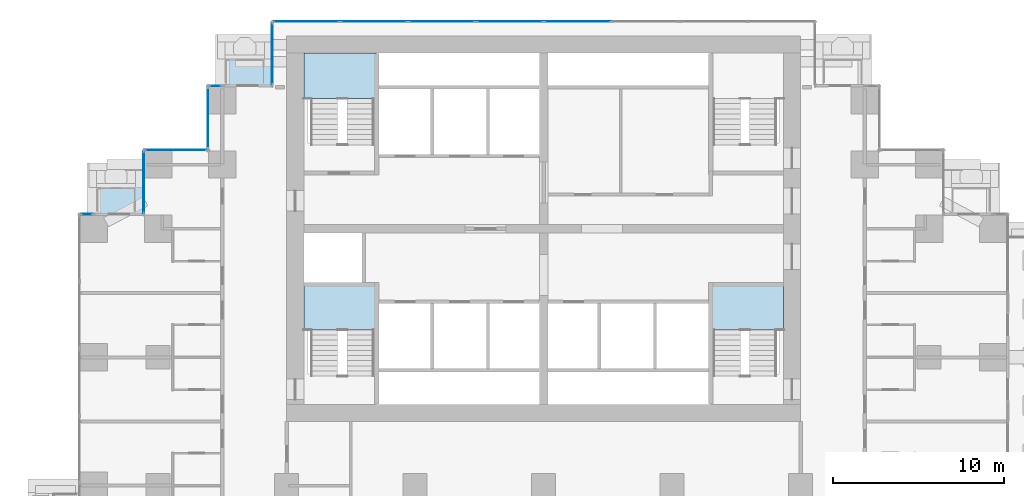
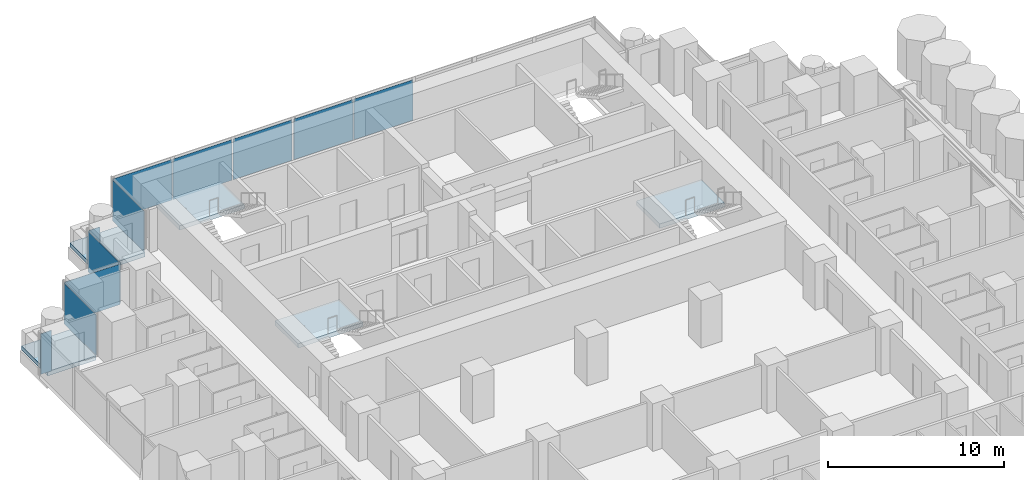
# One storey, part 8 of 19: 11 plates, 5 slabs, 11 elements without a shape of their own.
"""IFC4 building model written with IfcOpenShell, lengths in metres."""

from ifc_helpers import new_model, si_unit, direction, frame, origin, origin_2d, place, context, subcontext, project, spatial, polyline, rectangle, outline, extrude, material, layer, layer_set, type_object, element, aggregate, save


model = new_model("IFC4")

# Units and contexts
model_context = context("Model", 3, precision=1e-05, world=origin(), true_north=direction((0.0, 1.0)))
body_context = subcontext(model_context, "Body", "Model", "MODEL_VIEW")
ifc_project = project(units=[si_unit("LENGTHUNIT", "METRE"), si_unit("AREAUNIT", "SQUARE_METRE"), si_unit("VOLUMEUNIT", "CUBIC_METRE"), si_unit("PLANEANGLEUNIT", "RADIAN"), si_unit("MASSUNIT", "GRAM", prefix="KILO")], contexts=[model_context])

# Site, building, storey
site_placement = place(None, origin())
site = spatial("IfcSite", under=ifc_project, at=site_placement, CompositionType="ELEMENT")
building_placement = place(site_placement, origin())
building = spatial("IfcBuilding", under=site, at=building_placement, Name="Pilkhan Gate Tower", CompositionType="ELEMENT")
storey_placement = place(building_placement, frame((0.0, 0.0, 46.10009765625)))
storey = spatial("IfcBuildingStorey", under=building, at=storey_placement, Name="L08", CompositionType="ELEMENT", Elevation=46.10009765625)

# Slabs
ifc_material_1 = material(Name="Concrete C60/75", Category="concrete")
ifc_layer_1 = layer(ifc_material_1, 0.300048828125)
ifc_layer_set_1 = layer_set([ifc_layer_1], Name="Balcony tray slab TR300")
slab_type_1 = type_object("IfcSlabType", Name="Balcony tray slab TR300", PredefinedType="FLOOR", material=ifc_layer_set_1)
slab_1_placement = place(storey_placement, frame((0.0, 0.0, -0.300048828125)))
element("IfcSlab", 1, at=slab_1_placement, inside=storey, type_object=slab_type_1, Name="Balcony tray L08 N", PredefinedType="FLOOR", context=body_context, shape_type="SweptSolid", body=[
    extrude(outline(polyline([(59.14990234375, 90.85009765625), (59.14990234375, 93.85009765625), (55.949951171875, 93.85009765625), (55.949951171875, 90.85009765625), (59.14990234375, 90.85009765625)])), origin(), (0.0, 0.0, 1.0), 0.300048828125),
])
slab_2_placement = place(storey_placement, frame((0.0, 0.0, -0.300048828125)))
element("IfcSlab", 2, at=slab_2_placement, inside=storey, type_object=slab_type_1, Name="Balcony tray L08 N", PredefinedType="FLOOR", context=body_context, shape_type="SweptSolid", body=[
    extrude(outline(polyline([(51.6298828125, 83.3701171875), (51.6298828125, 86.35009765625), (48.449951171875, 86.35009765625), (48.449951171875, 83.3701171875), (51.6298828125, 83.3701171875)])), origin(), (0.0, 0.0, 1.0), 0.300048828125),
])

# Curtain wall, plates
ifc_material_2 = material(Name="Pale anodised aluminium, clear low-iron double glazing", Category="aluminium")
curtain_wall_type = type_object("IfcCurtainWallType", Name="Hotel unitised curtain wall CW-H", PredefinedType="USERDEFINED", material=ifc_material_2)
curtain_wall_1_placement = place(storey_placement, origin())
curtain_wall_1 = element("IfcCurtainWall", 3, at=curtain_wall_1_placement, inside=storey, type_object=curtain_wall_type, Name="Hotel unitised curtain wall CW-H L08 N", ObjectType="UNITISED CURTAIN WALL", PredefinedType="USERDEFINED")
ifc_material_3 = material(Name="Clear low-iron double glazing", Category="glass")
ifc_layer_2 = layer(ifc_material_3, 0.035888671875)
ifc_layer_set_2 = layer_set([ifc_layer_2], Name="Glass panel CW-H 36")
plate_type = type_object("IfcPlateType", Name="Glass panel CW-H 36", PredefinedType="CURTAIN_PANEL", material=ifc_layer_set_2)
plate_1_placement = place(storey_placement, frame((61.15185546875, 94.594970703125, 0.0), z_axis=(0.0, 0.0, 1.0), x_axis=(1.0, 0.0, 0.0)))
plate_1 = element("IfcPlate", 4, at=plate_1_placement, type_object=plate_type, Name="CW-H panel 1", PredefinedType="CURTAIN_PANEL", context=body_context, shape_type="SweptSolid", body=[
    extrude(rectangle(XDim=3.86376953125, YDim=0.035888671875, at=origin_2d()), origin(), (0.0, 0.0, 1.0), 2.820068359375),
])
plate_2_placement = place(storey_placement, frame((65.096923828125, 94.594970703125, 0.0), z_axis=(0.0, 0.0, 1.0), x_axis=(1.0, 0.0, 0.0)))
plate_2 = element("IfcPlate", 5, at=plate_2_placement, type_object=plate_type, Name="CW-H panel 2", PredefinedType="CURTAIN_PANEL", context=body_context, shape_type="SweptSolid", body=[
    extrude(rectangle(XDim=3.896240234375, YDim=0.035888671875, at=origin_2d()), origin(), (0.0, 0.0, 1.0), 2.820068359375),
])
plate_3_placement = place(storey_placement, frame((69.0419921875, 94.594970703125, 0.0), z_axis=(0.0, 0.0, 1.0), x_axis=(1.0, 0.0, 0.0)))
plate_3 = element("IfcPlate", 6, at=plate_3_placement, type_object=plate_type, Name="CW-H panel 3", PredefinedType="CURTAIN_PANEL", context=body_context, shape_type="SweptSolid", body=[
    extrude(rectangle(XDim=3.86376953125, YDim=0.035888671875, at=origin_2d()), origin(), (0.0, 0.0, 1.0), 2.820068359375),
])
aggregate(curtain_wall_1, [plate_1, plate_2, plate_3])

curtain_wall_2_placement = place(storey_placement, origin())
curtain_wall_2 = element("IfcCurtainWall", 7, at=curtain_wall_2_placement, inside=storey, type_object=curtain_wall_type, Name="Hotel unitised curtain wall CW-H L08 N", ObjectType="UNITISED CURTAIN WALL", PredefinedType="USERDEFINED")
plate_4_placement = place(storey_placement, frame((73.03564453125, 94.594970703125, 0.0), z_axis=(0.0, 0.0, 1.0), x_axis=(1.0, 0.0, 0.0)))
plate_4 = element("IfcPlate", 8, at=plate_4_placement, type_object=plate_type, Name="CW-H panel 1", PredefinedType="CURTAIN_PANEL", context=body_context, shape_type="SweptSolid", body=[
    extrude(rectangle(XDim=3.86376953125, YDim=0.035888671875, at=origin_2d()), origin(), (0.0, 0.0, 1.0), 2.820068359375),
])
plate_5_placement = place(storey_placement, frame((76.980712890625, 94.594970703125, 0.0), z_axis=(0.0, 0.0, 1.0), x_axis=(1.0, 0.0, 0.0)))
plate_5 = element("IfcPlate", 9, at=plate_5_placement, type_object=plate_type, Name="CW-H panel 2", PredefinedType="CURTAIN_PANEL", context=body_context, shape_type="SweptSolid", body=[
    extrude(rectangle(XDim=3.896240234375, YDim=0.035888671875, at=origin_2d()), origin(), (0.0, 0.0, 1.0), 2.820068359375),
])
aggregate(curtain_wall_2, [plate_4, plate_5])

# Curtain wall, plate
curtain_wall_3_placement = place(storey_placement, origin())
curtain_wall_3 = element("IfcCurtainWall", 10, at=curtain_wall_3_placement, inside=storey, type_object=curtain_wall_type, Name="Hotel unitised curtain wall CW-H L08 W", ObjectType="UNITISED CURTAIN WALL", PredefinedType="USERDEFINED")
plate_6_placement = place(storey_placement, frame((59.155029296875, 92.719970703125, 0.0), z_axis=(0.0, 0.0, 1.0), x_axis=(0.0, 1.0, 0.0)))
plate_6 = element("IfcPlate", 11, at=plate_6_placement, type_object=plate_type, Name="CW-H panel 1", PredefinedType="CURTAIN_PANEL", context=body_context, shape_type="SweptSolid", body=[
    extrude(rectangle(XDim=3.6201171875, YDim=0.035888671875, at=origin_2d()), origin(), (0.0, 0.0, 1.0), 2.820068359375),
])
aggregate(curtain_wall_3, [plate_6])

curtain_wall_4_placement = place(storey_placement, origin())
curtain_wall_4 = element("IfcCurtainWall", 12, at=curtain_wall_4_placement, inside=storey, type_object=curtain_wall_type, Name="Hotel unitised curtain wall CW-H L08 N", ObjectType="UNITISED CURTAIN WALL", PredefinedType="USERDEFINED")
plate_7_placement = place(storey_placement, frame((55.827392578125, 90.844970703125, 0.0), z_axis=(0.0, 0.0, 1.0), x_axis=(1.0, 0.0, 0.0)))
plate_7 = element("IfcPlate", 13, at=plate_7_placement, type_object=plate_type, Name="CW-H panel 1", PredefinedType="CURTAIN_PANEL", context=body_context, shape_type="SweptSolid", body=[
    extrude(rectangle(XDim=0.715087890625, YDim=0.035888671875, at=origin_2d()), origin(), (0.0, 0.0, 1.0), 2.820068359375),
])
aggregate(curtain_wall_4, [plate_7])

curtain_wall_5_placement = place(storey_placement, origin())
curtain_wall_5 = element("IfcCurtainWall", 14, at=curtain_wall_5_placement, inside=storey, type_object=curtain_wall_type, Name="Hotel unitised curtain wall CW-H L08 W", ObjectType="UNITISED CURTAIN WALL", PredefinedType="USERDEFINED")
plate_8_placement = place(storey_placement, frame((55.405029296875, 88.969970703125, 0.0), z_axis=(0.0, 0.0, 1.0), x_axis=(0.0, 1.0, 0.0)))
plate_8 = element("IfcPlate", 15, at=plate_8_placement, type_object=plate_type, Name="CW-H panel 1", PredefinedType="CURTAIN_PANEL", context=body_context, shape_type="SweptSolid", body=[
    extrude(rectangle(XDim=3.6201171875, YDim=0.035888671875, at=origin_2d()), origin(), (0.0, 0.0, 1.0), 2.820068359375),
])
aggregate(curtain_wall_5, [plate_8])

curtain_wall_6_placement = place(storey_placement, origin())
curtain_wall_6 = element("IfcCurtainWall", 16, at=curtain_wall_6_placement, inside=storey, type_object=curtain_wall_type, Name="Hotel unitised curtain wall CW-H L08 N", ObjectType="UNITISED CURTAIN WALL", PredefinedType="USERDEFINED")
plate_9_placement = place(storey_placement, frame((53.530029296875, 87.094970703125, 0.0), z_axis=(0.0, 0.0, 1.0), x_axis=(1.0, 0.0, 0.0)))
plate_9 = element("IfcPlate", 17, at=plate_9_placement, type_object=plate_type, Name="CW-H panel 1", PredefinedType="CURTAIN_PANEL", context=body_context, shape_type="SweptSolid", body=[
    extrude(rectangle(XDim=3.6201171875, YDim=0.035888671875, at=origin_2d()), origin(), (0.0, 0.0, 1.0), 2.820068359375),
])
aggregate(curtain_wall_6, [plate_9])

curtain_wall_7_placement = place(storey_placement, origin())
curtain_wall_7 = element("IfcCurtainWall", 18, at=curtain_wall_7_placement, inside=storey, type_object=curtain_wall_type, Name="Hotel unitised curtain wall CW-H L08 W", ObjectType="UNITISED CURTAIN WALL", PredefinedType="USERDEFINED")
plate_10_placement = place(storey_placement, frame((51.655029296875, 85.219970703125, 0.0), z_axis=(0.0, 0.0, 1.0), x_axis=(0.0, 1.0, 0.0)))
plate_10 = element("IfcPlate", 19, at=plate_10_placement, type_object=plate_type, Name="CW-H panel 1", PredefinedType="CURTAIN_PANEL", context=body_context, shape_type="SweptSolid", body=[
    extrude(rectangle(XDim=3.6201171875, YDim=0.035888671875, at=origin_2d()), origin(), (0.0, 0.0, 1.0), 2.820068359375),
])
aggregate(curtain_wall_7, [plate_10])

curtain_wall_8_placement = place(storey_placement, origin())
curtain_wall_8 = element("IfcCurtainWall", 20, at=curtain_wall_8_placement, inside=storey, type_object=curtain_wall_type, Name="Hotel unitised curtain wall CW-H L08 N", ObjectType="UNITISED CURTAIN WALL", PredefinedType="USERDEFINED")
plate_11_placement = place(storey_placement, frame((48.327392578125, 83.344970703125, 0.0), z_axis=(0.0, 0.0, 1.0), x_axis=(1.0, 0.0, 0.0)))
plate_11 = element("IfcPlate", 21, at=plate_11_placement, type_object=plate_type, Name="CW-H panel 1", PredefinedType="CURTAIN_PANEL", context=body_context, shape_type="SweptSolid", body=[
    extrude(rectangle(XDim=0.715087890625, YDim=0.035888671875, at=origin_2d()), origin(), (0.0, 0.0, 1.0), 2.820068359375),
])
aggregate(curtain_wall_8, [plate_11])

# Stair, slab
ifc_material_4 = material(Name="Concrete C40/50 precast", Category="concrete")
stair_type_1 = type_object("IfcStairType", Name="Stair ST1 165x300", PredefinedType="HALF_TURN_STAIR", material=ifc_material_4)
stair_1_placement = place(storey_placement, origin())
stair_1 = element("IfcStair", 22, at=stair_1_placement, inside=storey, type_object=stair_type_1, Name="Stair ST1 L08", PredefinedType="HALF_TURN_STAIR")
ifc_material_5 = material(Name="Concrete C40/50", Category="concrete")
ifc_layer_3 = layer(ifc_material_5, 0.199951171875)
ifc_layer_set_3 = layer_set([ifc_layer_3], Name="Stair landing SL200")
slab_type_2 = type_object("IfcSlabType", Name="Stair landing SL200", PredefinedType="LANDING", material=ifc_layer_set_3)
slab_3_placement = place(storey_placement, frame((0.0, 0.0, 1.349853515625)))
slab_3 = element("IfcSlab", 23, at=slab_3_placement, type_object=slab_type_2, Name="ST1 landing 1", PredefinedType="LANDING", context=body_context, shape_type="SweptSolid", body=[
    extrude(outline(polyline([(89.0, 76.60009765625), (89.0, 79.25), (84.75, 79.25), (84.75, 76.60009765625), (89.0, 76.60009765625)])), origin(), (0.0, 0.0, 1.0), 0.300048828125),
])
aggregate(stair_1, [slab_3])

stair_type_2 = type_object("IfcStairType", Name="Stair ST2 165x300", PredefinedType="HALF_TURN_STAIR", material=ifc_material_4)
stair_2_placement = place(storey_placement, origin())
stair_2 = element("IfcStair", 24, at=stair_2_placement, inside=storey, type_object=stair_type_2, Name="Stair ST2 L08", PredefinedType="HALF_TURN_STAIR")
slab_4_placement = place(storey_placement, frame((0.0, 0.0, 1.349853515625)))
slab_4 = element("IfcSlab", 25, at=slab_4_placement, type_object=slab_type_2, Name="ST2 landing 1", PredefinedType="LANDING", context=body_context, shape_type="SweptSolid", body=[
    extrude(outline(polyline([(65.25, 76.60009765625), (65.25, 79.25), (61.0, 79.25), (61.0, 76.60009765625), (65.25, 76.60009765625)])), origin(), (0.0, 0.0, 1.0), 0.300048828125),
])
aggregate(stair_2, [slab_4])

stair_type_3 = type_object("IfcStairType", Name="Stair ST3 165x300", PredefinedType="HALF_TURN_STAIR", material=ifc_material_4)
stair_3_placement = place(storey_placement, origin())
stair_3 = element("IfcStair", 26, at=stair_3_placement, inside=storey, type_object=stair_type_3, Name="Stair ST3 L08", PredefinedType="HALF_TURN_STAIR")
slab_5_placement = place(storey_placement, frame((0.0, 0.0, 1.349853515625)))
slab_5 = element("IfcSlab", 27, at=slab_5_placement, type_object=slab_type_2, Name="ST3 landing 1", PredefinedType="LANDING", context=body_context, shape_type="SweptSolid", body=[
    extrude(outline(polyline([(65.25, 90.10009765625), (65.25, 92.75), (61.0, 92.75), (61.0, 90.10009765625), (65.25, 90.10009765625)])), origin(), (0.0, 0.0, 1.0), 0.300048828125),
])
aggregate(stair_3, [slab_5])

save(model, "model.ifc")
